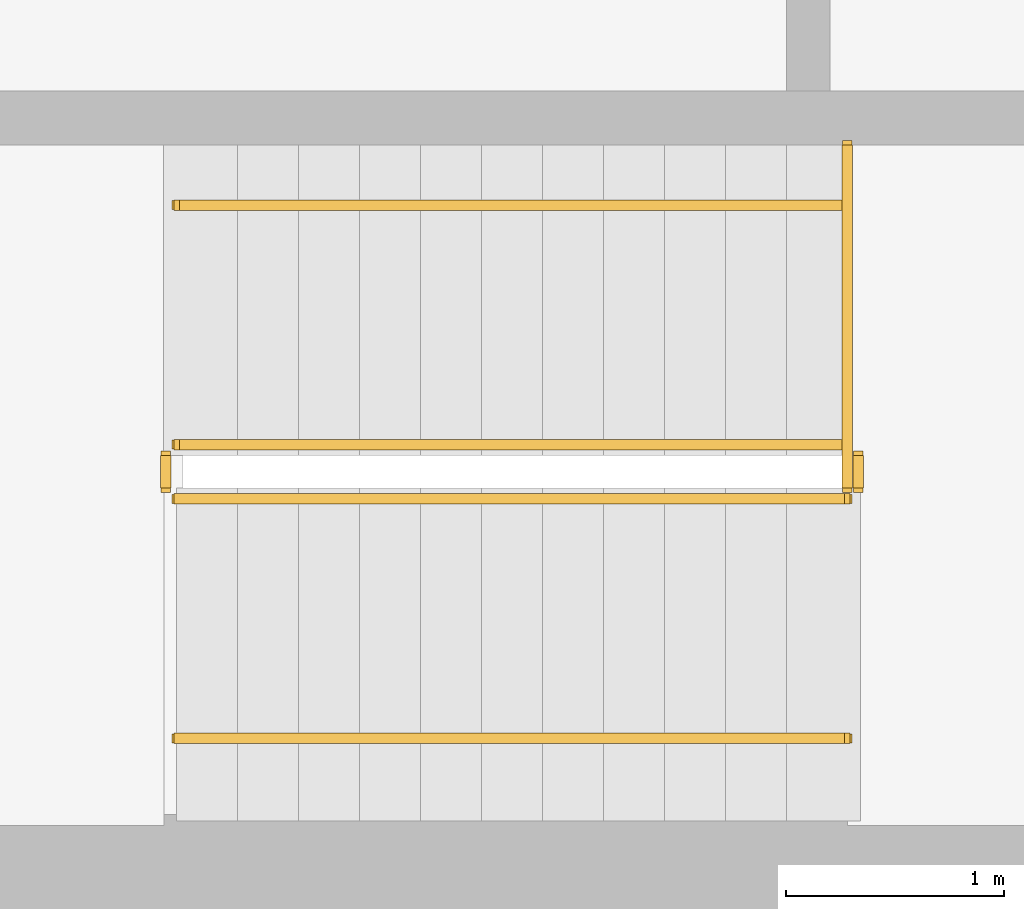
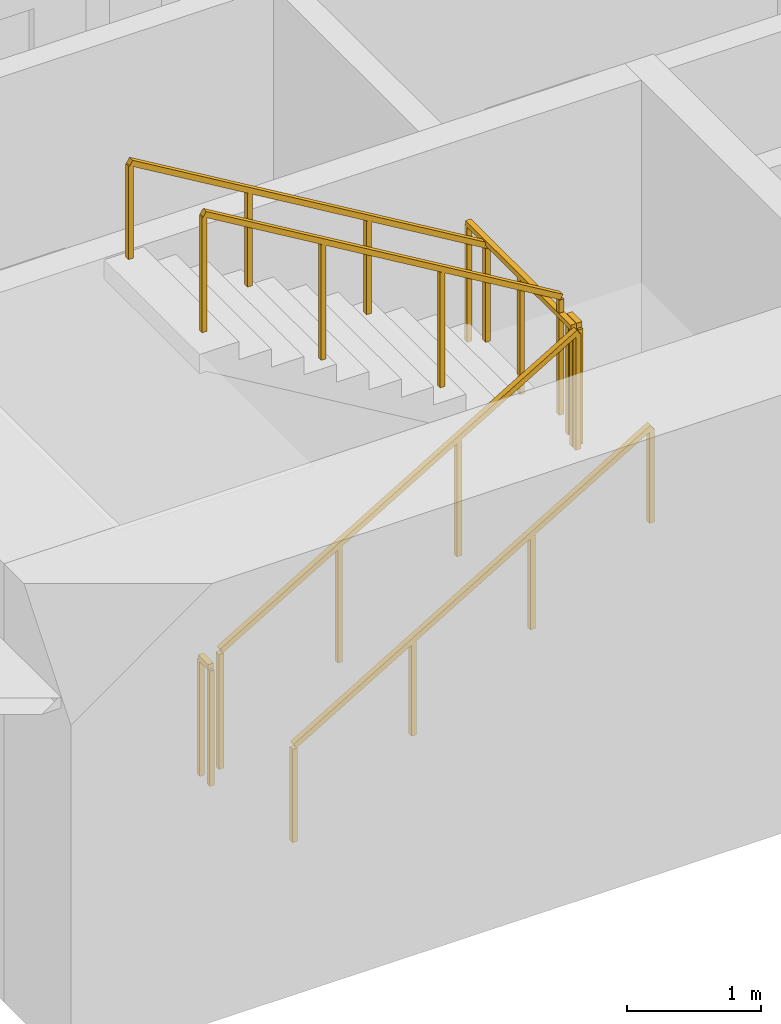
# One storey, part 14 of 17: 7 railings.
"""IFC4 building model written with IfcOpenShell, lengths in metres."""

from ifc_helpers import new_model, si_unit, direction, frame, origin, origin_2d, place, context, subcontext, project, spatial, rectangle, extrude, material, type_object, element, save


model = new_model("IFC4")

# Units and contexts
model_context = context("Model", 3, precision=1e-05, world=origin(), true_north=direction((0.0, 1.0)))
body_context = subcontext(model_context, "Body", "Model", "MODEL_VIEW")
ifc_project = project(units=[si_unit("LENGTHUNIT", "METRE"), si_unit("AREAUNIT", "SQUARE_METRE"), si_unit("VOLUMEUNIT", "CUBIC_METRE"), si_unit("PLANEANGLEUNIT", "RADIAN"), si_unit("MASSUNIT", "GRAM", prefix="KILO")], contexts=[model_context])

# Site, building, storey
site_placement = place(None, origin())
site = spatial("IfcSite", under=ifc_project, at=site_placement, CompositionType="ELEMENT")
building_placement = place(site_placement, origin())
building = spatial("IfcBuilding", under=site, at=building_placement, Name="Sennacour Bend Tower", CompositionType="ELEMENT")
storey_placement = place(building_placement, frame((0.0, 0.0, 155.0)))
storey = spatial("IfcBuildingStorey", under=building, at=storey_placement, Name="L35", CompositionType="ELEMENT", Elevation=155.0)

# Railings
ifc_material = material(Name="Stainless steel", Category="steel")
railing_type_1 = type_object("IfcRailingType", Name="RL-GUARD-1100", PredefinedType="GUARDRAIL", material=ifc_material)
railing_1_placement = place(storey_placement, frame((56.699951171875, 2.449951171875, 0.166748046875)))
element("IfcRailing", 1, at=railing_1_placement, inside=storey, type_object=railing_type_1, Name="L35 SA1 stair guard 1", PredefinedType="GUARDRAIL", context=body_context, shape_type="SweptSolid", body=[
    extrude(rectangle(XDim=0.048095703125, YDim=0.048095703125, at=origin_2d()), frame((0.0, 0.0, 1.076171875), z_axis=(0.859308565015, 0.0, 0.511457515432), x_axis=(0.0, 1.0, 0.0)), (0.0, 0.0, 1.0), 3.58447265625),
    extrude(rectangle(XDim=0.0419921875, YDim=0.0419921875, at=origin_2d()), origin(), (0.0, 0.0, 1.0), 1.052001953125),
    extrude(rectangle(XDim=0.0419921875, YDim=0.0419921875, at=origin_2d()), frame((1.026611328125, 0.0, 0.611083984375)), (0.0, 0.0, 1.0), 1.052001953125),
    extrude(rectangle(XDim=0.0419921875, YDim=0.0419921875, at=origin_2d()), frame((2.053466796875, 0.0, 1.22216796875)), (0.0, 0.0, 1.0), 1.052001953125),
    extrude(rectangle(XDim=0.0419921875, YDim=0.0419921875, at=origin_2d()), frame((3.080078125, 0.0, 1.833251953125)), (0.0, 0.0, 1.0), 1.052001953125),
])
railing_2_placement = place(storey_placement, frame((59.830078125, 2.5, 2.0)))
element("IfcRailing", 2, at=railing_2_placement, inside=storey, type_object=railing_type_1, Name="L35 SA1 stair guard 2", PredefinedType="GUARDRAIL", context=body_context, shape_type="SweptSolid", body=[
    extrude(rectangle(XDim=0.048095703125, YDim=0.048095703125, at=origin_2d()), frame((0.0, 0.0, 1.076171875), z_axis=(0.0, 1.0, 0.0), x_axis=(-1.0, 0.0, 0.0)), (0.0, 0.0, 1.0), 0.14990234375),
    extrude(rectangle(XDim=0.0419921875, YDim=0.0419921875, at=origin_2d()), origin(), (0.0, 0.0, 1.0), 1.052001953125),
    extrude(rectangle(XDim=0.0419921875, YDim=0.0419921875, at=origin_2d()), frame((0.0, 0.14990234375, 0.0)), (0.0, 0.0, 1.0), 1.052001953125),
])
railing_3_placement = place(storey_placement, frame((59.780029296875, 2.699951171875, 2.166748046875)))
element("IfcRailing", 3, at=railing_3_placement, inside=storey, type_object=railing_type_1, Name="L35 SA1 stair guard 4", PredefinedType="GUARDRAIL", context=body_context, shape_type="SweptSolid", body=[
    extrude(rectangle(XDim=0.048095703125, YDim=0.048095703125, at=origin_2d()), frame((0.0, 0.0, 1.076171875), z_axis=(-0.859308565015, 0.0, 0.511457515432), x_axis=(0.0, -1.0, 0.0)), (0.0, 0.0, 1.0), 3.58447265625),
    extrude(rectangle(XDim=0.0419921875, YDim=0.0419921875, at=origin_2d()), origin(), (0.0, 0.0, 1.0), 1.052001953125),
    extrude(rectangle(XDim=0.0419921875, YDim=0.0419921875, at=origin_2d()), frame((-1.026611328125, 0.0, 0.611083984375)), (0.0, 0.0, 1.0), 1.052001953125),
    extrude(rectangle(XDim=0.0419921875, YDim=0.0419921875, at=origin_2d()), frame((-2.053466796875, 0.0, 1.22216796875)), (0.0, 0.0, 1.0), 1.052001953125),
    extrude(rectangle(XDim=0.0419921875, YDim=0.0419921875, at=origin_2d()), frame((-3.080078125, 0.0, 1.833251953125)), (0.0, 0.0, 1.0), 1.052001953125),
])
railing_4_placement = place(storey_placement, frame((56.64990234375, 2.5, 0.0)))
element("IfcRailing", 4, at=railing_4_placement, inside=storey, type_object=railing_type_1, Name="L35 SA1 stair guard 5", PredefinedType="GUARDRAIL", context=body_context, shape_type="SweptSolid", body=[
    extrude(rectangle(XDim=0.048095703125, YDim=0.048095703125, at=origin_2d()), frame((0.0, 0.0, 1.076171875), z_axis=(0.0, 1.0, 0.0), x_axis=(-1.0, 0.0, 0.0)), (0.0, 0.0, 1.0), 0.14990234375),
    extrude(rectangle(XDim=0.0419921875, YDim=0.0419921875, at=origin_2d()), origin(), (0.0, 0.0, 1.0), 1.052001953125),
    extrude(rectangle(XDim=0.0419921875, YDim=0.0419921875, at=origin_2d()), frame((0.0, 0.14990234375, 0.0)), (0.0, 0.0, 1.0), 1.052001953125),
])
railing_5_placement = place(storey_placement, frame((59.780029296875, 2.5, 2.0)))
element("IfcRailing", 5, at=railing_5_placement, inside=storey, type_object=railing_type_1, Name="L35 SA1 landing edge guard 55", PredefinedType="GUARDRAIL", context=body_context, shape_type="SweptSolid", body=[
    extrude(rectangle(XDim=0.048095703125, YDim=0.048095703125, at=origin_2d()), frame((0.0, 0.0, 1.076171875), z_axis=(0.0, 1.0, 0.0), x_axis=(-1.0, 0.0, 0.0)), (0.0, 0.0, 1.0), 1.574951171875),
    extrude(rectangle(XDim=0.0419921875, YDim=0.0419921875, at=origin_2d()), origin(), (0.0, 0.0, 1.0), 1.052001953125),
    extrude(rectangle(XDim=0.0419921875, YDim=0.0419921875, at=origin_2d()), frame((0.0, 0.78759765625, 0.0)), (0.0, 0.0, 1.0), 1.052001953125),
    extrude(rectangle(XDim=0.0419921875, YDim=0.0419921875, at=origin_2d()), frame((0.0, 1.574951171875, 0.0)), (0.0, 0.0, 1.0), 1.052001953125),
])
railing_type_2 = type_object("IfcRailingType", Name="RL-HANDRAIL-900", PredefinedType="HANDRAIL", material=ifc_material)
railing_6_placement = place(storey_placement, frame((56.699951171875, 1.35009765625, 0.166748046875)))
element("IfcRailing", 6, at=railing_6_placement, inside=storey, type_object=railing_type_2, Name="L35 SA1 stair handrail 1", PredefinedType="HANDRAIL", context=body_context, shape_type="SweptSolid", body=[
    extrude(rectangle(XDim=0.048095703125, YDim=0.048095703125, at=origin_2d()), frame((0.0, 0.0, 0.8759765625), z_axis=(0.859308565015, 0.0, 0.511457515432), x_axis=(0.0, 1.0, 0.0)), (0.0, 0.0, 1.0), 3.58447265625),
    extrude(rectangle(XDim=0.0419921875, YDim=0.0419921875, at=origin_2d()), origin(), (0.0, 0.0, 1.0), 0.851806640625),
    extrude(rectangle(XDim=0.0419921875, YDim=0.0419921875, at=origin_2d()), frame((1.026611328125, 0.0, 0.611083984375)), (0.0, 0.0, 1.0), 0.851806640625),
    extrude(rectangle(XDim=0.0419921875, YDim=0.0419921875, at=origin_2d()), frame((2.053466796875, 0.0, 1.22216796875)), (0.0, 0.0, 1.0), 0.851806640625),
    extrude(rectangle(XDim=0.0419921875, YDim=0.0419921875, at=origin_2d()), frame((3.080078125, 0.0, 1.833251953125)), (0.0, 0.0, 1.0), 0.851806640625),
])
railing_7_placement = place(storey_placement, frame((59.780029296875, 3.800048828125, 2.166748046875)))
element("IfcRailing", 7, at=railing_7_placement, inside=storey, type_object=railing_type_2, Name="L35 SA1 stair handrail 2", PredefinedType="HANDRAIL", context=body_context, shape_type="SweptSolid", body=[
    extrude(rectangle(XDim=0.048095703125, YDim=0.048095703125, at=origin_2d()), frame((0.0, 0.0, 0.8759765625), z_axis=(-0.859308565015, 0.0, 0.511457515432), x_axis=(0.0, -1.0, 0.0)), (0.0, 0.0, 1.0), 3.58447265625),
    extrude(rectangle(XDim=0.0419921875, YDim=0.0419921875, at=origin_2d()), origin(), (0.0, 0.0, 1.0), 0.851806640625),
    extrude(rectangle(XDim=0.0419921875, YDim=0.0419921875, at=origin_2d()), frame((-1.026611328125, 0.0, 0.611083984375)), (0.0, 0.0, 1.0), 0.851806640625),
    extrude(rectangle(XDim=0.0419921875, YDim=0.0419921875, at=origin_2d()), frame((-2.053466796875, 0.0, 1.22216796875)), (0.0, 0.0, 1.0), 0.851806640625),
    extrude(rectangle(XDim=0.0419921875, YDim=0.0419921875, at=origin_2d()), frame((-3.080078125, 0.0, 1.833251953125)), (0.0, 0.0, 1.0), 0.851806640625),
])

save(model, "model.ifc")
